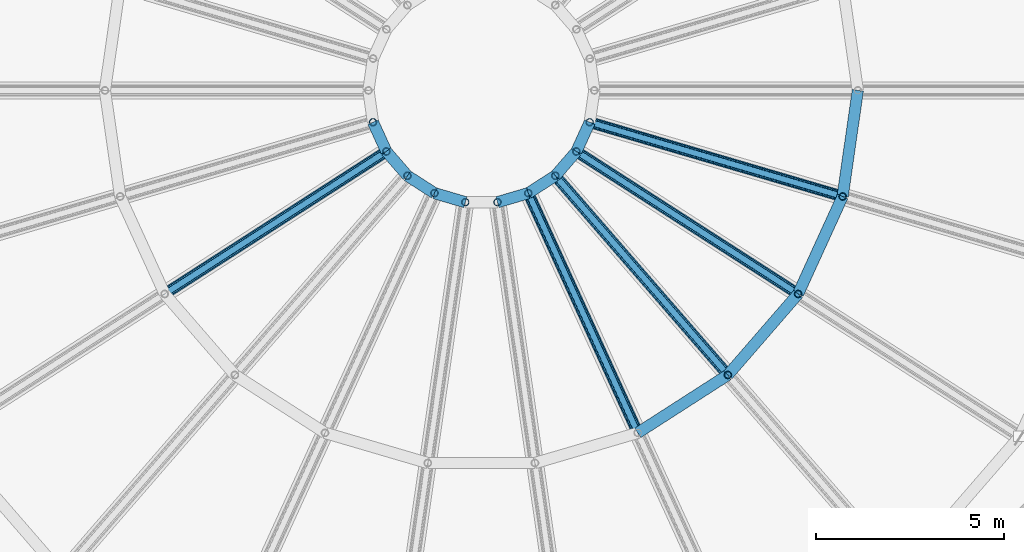
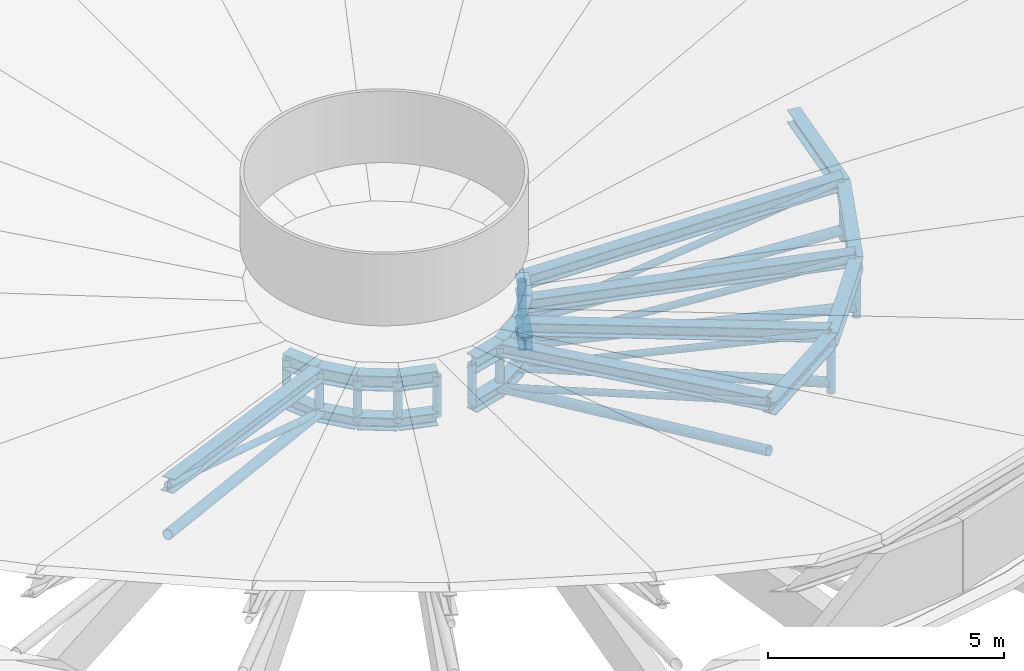
# One storey, part 4 of 69: 28 members, 20 beams.
"""IFC4 building model written with IfcOpenShell, lengths in metres."""

from ifc_helpers import new_model, si_unit, direction, frame, origin, origin_2d, place, context, subcontext, project, spatial, hollow_circle, i_section, extrude, material, material_profile, profile_set, type_object, element, save


model = new_model("IFC4")

# Units and contexts
model_context = context("Model", 3, precision=1e-05, world=origin(), true_north=direction((0.0, 1.0)))
body_context = subcontext(model_context, "Body", "Model", "MODEL_VIEW")
ifc_project = project(units=[si_unit("LENGTHUNIT", "METRE"), si_unit("AREAUNIT", "SQUARE_METRE"), si_unit("VOLUMEUNIT", "CUBIC_METRE"), si_unit("PLANEANGLEUNIT", "RADIAN"), si_unit("MASSUNIT", "GRAM", prefix="KILO")], contexts=[model_context])

# Site, building, storey
site_placement = place(None, origin())
site = spatial("IfcSite", under=ifc_project, at=site_placement, CompositionType="ELEMENT")
building_placement = place(site_placement, origin())
building = spatial("IfcBuilding", under=site, at=building_placement, Name="Pelvatis Terrace Science Centre", CompositionType="ELEMENT")
storey_placement = place(building_placement, frame((0.0, 0.0, 15.0)))
storey = spatial("IfcBuildingStorey", under=building, at=storey_placement, Name="L03", CompositionType="ELEMENT", Elevation=15.0)

# Beams
ifc_material_1 = material(Name="Structural steel S355", Category="steel")
ifc_material_profile_1 = material_profile(ifc_material_1, i_section(OverallWidth=0.300048828125, OverallDepth=0.330078125, WebThickness=0.009521484375, FlangeThickness=0.0166015625, FilletRadius=0.027099609375, at=origin_2d()), Name="HEA 340")
ifc_profile_set_1 = profile_set([ifc_material_profile_1], Name="Structural steel S355")
beam_type_1 = type_object("IfcBeamType", Name="BM-STL-HEA340", PredefinedType="BEAM", material=ifc_profile_set_1)
beam_1_placement = place(storey_placement, frame((75.12158203125, 53.7548828125, -2.5), z_axis=(0.415374633036, -0.909650435184, 0.0), x_axis=(0.909650435184, 0.415374633036, 0.0)))
element("IfcBeam", 1, at=beam_1_placement, inside=storey, type_object=beam_type_1, Name="Bowl roof circumferential bot member 13", PredefinedType="BEAM", context=body_context, shape_type="SweptSolid", body=[
    extrude(i_section(OverallWidth=0.300048828125, OverallDepth=0.330078125, WebThickness=0.009521484375, FlangeThickness=0.0166015625, FilletRadius=0.027099609375, at=origin_2d()), origin(), (0.0, 0.0, 1.0), 0.85400390625),
])
beam_2_placement = place(storey_placement, frame((75.476318359375, 52.97802734375, -2.5), z_axis=(0.654832554066, -0.755773991439, 0.0), x_axis=(0.755773991439, 0.654832554066, 0.0)))
element("IfcBeam", 2, at=beam_2_placement, inside=storey, type_object=beam_type_1, Name="Bowl roof circumferential bot member 14", PredefinedType="BEAM", context=body_context, shape_type="SweptSolid", body=[
    extrude(i_section(OverallWidth=0.300048828125, OverallDepth=0.330078125, WebThickness=0.009521484375, FlangeThickness=0.0166015625, FilletRadius=0.027099609375, at=origin_2d()), origin(), (0.0, 0.0, 1.0), 0.853759765625),
])
beam_3_placement = place(storey_placement, frame((76.035400390625, 52.332763671875, -2.5), z_axis=(0.841299198615, -0.54056975351, 0.0), x_axis=(0.54056975351, 0.841299198615, 0.0)))
element("IfcBeam", 3, at=beam_3_placement, inside=storey, type_object=beam_type_1, Name="Bowl roof circumferential bot member 15", PredefinedType="BEAM", context=body_context, shape_type="SweptSolid", body=[
    extrude(i_section(OverallWidth=0.300048828125, OverallDepth=0.330078125, WebThickness=0.009521484375, FlangeThickness=0.0166015625, FilletRadius=0.027099609375, at=origin_2d()), origin(), (0.0, 0.0, 1.0), 0.85400390625),
])
for number, where, z_axis, x_axis, name in (
    (4, (76.75390625, 51.87109375, -2.5), (0.959502009336, -0.281701782175, 0.0), (0.281701782175, 0.959502009336, 0.0), "Bowl roof circumferential bot member 16"),
    (5, (78.427001953125, 51.630615234375, -2.5), (0.959502009336, 0.281701782175, 0.0), (-0.281701782175, 0.959502009336, 0.0), "Bowl roof circumferential bot member 18"),
):
    element("IfcBeam", number, at=place(storey_placement, frame(where, z_axis=z_axis, x_axis=x_axis)), inside=storey, type_object=beam_type_1, Name=name, PredefinedType="BEAM", context=body_context, shape_type="SweptSolid", body=[
        extrude(i_section(OverallWidth=0.300048828125, OverallDepth=0.330078125, WebThickness=0.009521484375, FlangeThickness=0.0166015625, FilletRadius=0.027099609375, at=origin_2d()), origin(), (0.0, 0.0, 1.0), 0.853759765625),
    ])
beam_4_placement = place(storey_placement, frame((82.154296875, 45.503662109375, -0.179931640625), z_axis=(0.841236998523, 0.540666544477, 0.0), x_axis=(-0.540666544477, 0.841236998523, 0.0)))
element("IfcBeam", 6, at=beam_4_placement, inside=storey, type_object=beam_type_1, Name="Bowl roof circumferential mid member 19", PredefinedType="BEAM", context=body_context, shape_type="SweptSolid", body=[
    extrude(i_section(OverallWidth=0.300048828125, OverallDepth=0.330078125, WebThickness=0.009521484375, FlangeThickness=0.0166015625, FilletRadius=0.027099609375, at=origin_2d()), origin(), (0.0, 0.0, 1.0), 2.84619140625),
])
beam_5_placement = place(storey_placement, frame((79.24609375, 51.87109375, -2.5), z_axis=(0.841299198615, 0.54056975351, 0.0), x_axis=(-0.54056975351, 0.841299198615, 0.0)))
element("IfcBeam", 7, at=beam_5_placement, inside=storey, type_object=beam_type_1, Name="Bowl roof circumferential bot member 19", PredefinedType="BEAM", context=body_context, shape_type="SweptSolid", body=[
    extrude(i_section(OverallWidth=0.300048828125, OverallDepth=0.330078125, WebThickness=0.009521484375, FlangeThickness=0.0166015625, FilletRadius=0.027099609375, at=origin_2d()), origin(), (0.0, 0.0, 1.0), 0.85400390625),
])
beam_6_placement = place(storey_placement, frame((84.548583984375, 47.04248046875, -0.179931640625), z_axis=(0.654871758442, 0.755740021432, 0.0), x_axis=(-0.755740021432, 0.654871758442, 0.0)))
element("IfcBeam", 8, at=beam_6_placement, inside=storey, type_object=beam_type_1, Name="Bowl roof circumferential mid member 20", PredefinedType="BEAM", context=body_context, shape_type="SweptSolid", body=[
    extrude(i_section(OverallWidth=0.300048828125, OverallDepth=0.330078125, WebThickness=0.009521484375, FlangeThickness=0.0166015625, FilletRadius=0.027099609375, at=origin_2d()), origin(), (0.0, 0.0, 1.0), 2.846435546875),
])
beam_7_placement = place(storey_placement, frame((79.964599609375, 52.332763671875, -2.5), z_axis=(0.654832554066, 0.755773991439, 0.0), x_axis=(-0.755773991439, 0.654832554066, 0.0)))
element("IfcBeam", 9, at=beam_7_placement, inside=storey, type_object=beam_type_1, Name="Bowl roof circumferential bot member 20", PredefinedType="BEAM", context=body_context, shape_type="SweptSolid", body=[
    extrude(i_section(OverallWidth=0.300048828125, OverallDepth=0.330078125, WebThickness=0.009521484375, FlangeThickness=0.0166015625, FilletRadius=0.027099609375, at=origin_2d()), origin(), (0.0, 0.0, 1.0), 0.853759765625),
])
beam_8_placement = place(storey_placement, frame((86.41259765625, 49.193603515625, -0.179931640625), z_axis=(0.415404990183, 0.909636572556, 0.0), x_axis=(-0.909636572556, 0.415404990183, 0.0)))
element("IfcBeam", 10, at=beam_8_placement, inside=storey, type_object=beam_type_1, Name="Bowl roof circumferential mid member 21", PredefinedType="BEAM", context=body_context, shape_type="SweptSolid", body=[
    extrude(i_section(OverallWidth=0.300048828125, OverallDepth=0.330078125, WebThickness=0.009521484375, FlangeThickness=0.0166015625, FilletRadius=0.027099609375, at=origin_2d()), origin(), (0.0, 0.0, 1.0), 2.846435546875),
])
beam_9_placement = place(storey_placement, frame((80.523681640625, 52.97802734375, -2.5), z_axis=(0.415374633036, 0.909650435184, 0.0), x_axis=(-0.909650435184, 0.415374633036, 0.0)))
element("IfcBeam", 11, at=beam_9_placement, inside=storey, type_object=beam_type_1, Name="Bowl roof circumferential bot member 21", PredefinedType="BEAM", context=body_context, shape_type="SweptSolid", body=[
    extrude(i_section(OverallWidth=0.300048828125, OverallDepth=0.330078125, WebThickness=0.009521484375, FlangeThickness=0.0166015625, FilletRadius=0.027099609375, at=origin_2d()), origin(), (0.0, 0.0, 1.0), 0.85400390625),
])
beam_10_placement = place(storey_placement, frame((87.594970703125, 51.78271484375, -0.179931640625), z_axis=(0.142297903913, 0.989823876526, 0.0), x_axis=(-0.989823876526, 0.142297903913, 0.0)))
element("IfcBeam", 12, at=beam_10_placement, inside=storey, type_object=beam_type_1, Name="Bowl roof circumferential mid member 22", PredefinedType="BEAM", context=body_context, shape_type="SweptSolid", body=[
    extrude(i_section(OverallWidth=0.300048828125, OverallDepth=0.330078125, WebThickness=0.009521484375, FlangeThickness=0.0166015625, FilletRadius=0.027099609375, at=origin_2d()), origin(), (0.0, 0.0, 1.0), 2.846435546875),
])
ifc_material_2 = material(Name="Structural steel S355", Category="steel")
ifc_material_profile_2 = material_profile(ifc_material_2, i_section(OverallWidth=0.300048828125, OverallDepth=0.389892578125, WebThickness=0.010986328125, FlangeThickness=0.01904296875, FilletRadius=0.027099609375, at=origin_2d()), Name="HEA 400")
ifc_profile_set_2 = profile_set([ifc_material_profile_2], Name="Structural steel S355")
beam_type_2 = type_object("IfcBeamType", Name="BM-STL-HEA400", PredefinedType="BEAM", material=ifc_profile_set_2)
beam_11_placement = place(storey_placement, frame((75.12158203125, 53.7548828125, -1.449951171875), z_axis=(0.415374633036, -0.909650435184, 0.0), x_axis=(0.909650435184, 0.415374633036, 0.0)))
element("IfcBeam", 13, at=beam_11_placement, inside=storey, type_object=beam_type_2, Name="Bowl roof circumferential top member 13", PredefinedType="BEAM", context=body_context, shape_type="SweptSolid", body=[
    extrude(i_section(OverallWidth=0.300048828125, OverallDepth=0.389892578125, WebThickness=0.010986328125, FlangeThickness=0.01904296875, FilletRadius=0.027099609375, at=origin_2d()), origin(), (0.0, 0.0, 1.0), 0.85400390625),
])
beam_12_placement = place(storey_placement, frame((75.476318359375, 52.97802734375, -1.449951171875), z_axis=(0.654832554066, -0.755773991439, 0.0), x_axis=(0.755773991439, 0.654832554066, 0.0)))
element("IfcBeam", 14, at=beam_12_placement, inside=storey, type_object=beam_type_2, Name="Bowl roof circumferential top member 14", PredefinedType="BEAM", context=body_context, shape_type="SweptSolid", body=[
    extrude(i_section(OverallWidth=0.300048828125, OverallDepth=0.389892578125, WebThickness=0.010986328125, FlangeThickness=0.01904296875, FilletRadius=0.027099609375, at=origin_2d()), origin(), (0.0, 0.0, 1.0), 0.853759765625),
])
beam_13_placement = place(storey_placement, frame((76.035400390625, 52.332763671875, -1.449951171875), z_axis=(0.841299198615, -0.54056975351, 0.0), x_axis=(0.54056975351, 0.841299198615, 0.0)))
element("IfcBeam", 15, at=beam_13_placement, inside=storey, type_object=beam_type_2, Name="Bowl roof circumferential top member 15", PredefinedType="BEAM", context=body_context, shape_type="SweptSolid", body=[
    extrude(i_section(OverallWidth=0.300048828125, OverallDepth=0.389892578125, WebThickness=0.010986328125, FlangeThickness=0.01904296875, FilletRadius=0.027099609375, at=origin_2d()), origin(), (0.0, 0.0, 1.0), 0.85400390625),
])
for number, where, z_axis, x_axis, name in (
    (16, (76.75390625, 51.87109375, -1.449951171875), (0.959502009336, -0.281701782175, 0.0), (0.281701782175, 0.959502009336, 0.0), "Bowl roof circumferential top member 16"),
    (17, (78.427001953125, 51.630615234375, -1.449951171875), (0.959502009336, 0.281701782175, 0.0), (-0.281701782175, 0.959502009336, 0.0), "Bowl roof circumferential top member 18"),
):
    element("IfcBeam", number, at=place(storey_placement, frame(where, z_axis=z_axis, x_axis=x_axis)), inside=storey, type_object=beam_type_2, Name=name, PredefinedType="BEAM", context=body_context, shape_type="SweptSolid", body=[
        extrude(i_section(OverallWidth=0.300048828125, OverallDepth=0.389892578125, WebThickness=0.010986328125, FlangeThickness=0.01904296875, FilletRadius=0.027099609375, at=origin_2d()), origin(), (0.0, 0.0, 1.0), 0.853759765625),
    ])
beam_14_placement = place(storey_placement, frame((79.24609375, 51.87109375, -1.449951171875), z_axis=(0.841299198615, 0.54056975351, 0.0), x_axis=(-0.54056975351, 0.841299198615, 0.0)))
element("IfcBeam", 18, at=beam_14_placement, inside=storey, type_object=beam_type_2, Name="Bowl roof circumferential top member 19", PredefinedType="BEAM", context=body_context, shape_type="SweptSolid", body=[
    extrude(i_section(OverallWidth=0.300048828125, OverallDepth=0.389892578125, WebThickness=0.010986328125, FlangeThickness=0.01904296875, FilletRadius=0.027099609375, at=origin_2d()), origin(), (0.0, 0.0, 1.0), 0.85400390625),
])
beam_15_placement = place(storey_placement, frame((79.964599609375, 52.332763671875, -1.449951171875), z_axis=(0.654832554066, 0.755773991439, 0.0), x_axis=(-0.755773991439, 0.654832554066, 0.0)))
element("IfcBeam", 19, at=beam_15_placement, inside=storey, type_object=beam_type_2, Name="Bowl roof circumferential top member 20", PredefinedType="BEAM", context=body_context, shape_type="SweptSolid", body=[
    extrude(i_section(OverallWidth=0.300048828125, OverallDepth=0.389892578125, WebThickness=0.010986328125, FlangeThickness=0.01904296875, FilletRadius=0.027099609375, at=origin_2d()), origin(), (0.0, 0.0, 1.0), 0.853759765625),
])
beam_16_placement = place(storey_placement, frame((80.523681640625, 52.97802734375, -1.449951171875), z_axis=(0.415374633036, 0.909650435184, 0.0), x_axis=(-0.909650435184, 0.415374633036, 0.0)))
element("IfcBeam", 20, at=beam_16_placement, inside=storey, type_object=beam_type_2, Name="Bowl roof circumferential top member 21", PredefinedType="BEAM", context=body_context, shape_type="SweptSolid", body=[
    extrude(i_section(OverallWidth=0.300048828125, OverallDepth=0.389892578125, WebThickness=0.010986328125, FlangeThickness=0.01904296875, FilletRadius=0.027099609375, at=origin_2d()), origin(), (0.0, 0.0, 1.0), 0.85400390625),
])

# Members
ifc_material_3 = material(Name="Structural steel S355", Category="steel")
ifc_material_profile_3 = material_profile(ifc_material_3, hollow_circle(Radius=0.084228515625, WallThickness=0.00634765625, at=origin_2d()), Name="CHS 168.3x6.3")
ifc_profile_set_3 = profile_set([ifc_material_profile_3], Name="Structural steel S355")
member_type_1 = type_object("IfcMemberType", Name="MEM-BRC-CHS168", PredefinedType="BRACE", material=ifc_profile_set_3)
for number, where, z_axis, x_axis, name in (
    (21, (69.58740234375, 49.193603515625, -0.02001953125), (0.79296989833, 0.509590248912, -0.33394089081), (-0.540625380133, 0.841263453596, 0.0), "Bowl truss web brace 14.4"),
    (22, (82.154296875, 45.503662109375, -0.02001953125), (-0.391600804381, 0.857399309862, -0.333938966664), (-0.909616095646, -0.415449826745, 0.0), "Bowl truss web brace 19.4"),
):
    element("IfcMember", number, at=place(storey_placement, frame(where, z_axis=z_axis, x_axis=x_axis)), inside=storey, type_object=member_type_1, Name=name, PredefinedType="BRACE", context=body_context, shape_type="SweptSolid", body=[
        extrude(hollow_circle(Radius=0.084228515625, WallThickness=0.00634765625, at=origin_2d()), origin(), (0.0, 0.0, 1.0), 7.426513671875),
    ])
member_1_placement = place(storey_placement, frame((84.548583984375, 47.04248046875, -0.02001953125), z_axis=(-0.617261430253, 0.712368871546, -0.333944482771), x_axis=(-0.755754672976, -0.654854849776, 0.0)))
element("IfcMember", 23, at=member_1_placement, inside=storey, type_object=member_type_1, Name="Bowl truss web brace 20.4", PredefinedType="BRACE", context=body_context, shape_type="SweptSolid", body=[
    extrude(hollow_circle(Radius=0.084228515625, WallThickness=0.00634765625, at=origin_2d()), origin(), (0.0, 0.0, 1.0), 7.42626953125),
])
for number, where, z_axis, x_axis, name in (
    (24, (86.41259765625, 49.193603515625, -0.02001953125), (-0.79296989833, 0.509590248912, -0.33394089081), (-0.540625380133, -0.841263453596, 0.0), "Bowl truss web brace 21.4"),
    (25, (87.594970703125, 51.78271484375, -0.02001953125), (-0.904412308538, 0.265560780356, -0.333939886959), (-0.281733891035, -0.959492581859, 0.0), "Bowl truss web brace 22.4"),
):
    element("IfcMember", number, at=place(storey_placement, frame(where, z_axis=z_axis, x_axis=x_axis)), inside=storey, type_object=member_type_1, Name=name, PredefinedType="BRACE", context=body_context, shape_type="SweptSolid", body=[
        extrude(hollow_circle(Radius=0.084228515625, WallThickness=0.00634765625, at=origin_2d()), origin(), (0.0, 0.0, 1.0), 7.426513671875),
    ])
ifc_material_4 = material(Name="Structural steel S355", Category="steel")
ifc_material_profile_4 = material_profile(ifc_material_4, hollow_circle(Radius=0.122314453125, WallThickness=0.010009765625, at=origin_2d()), Name="CHS 244.5x10.0")
ifc_profile_set_4 = profile_set([ifc_material_profile_4], Name="Structural steel S355")
member_type_2 = type_object("IfcMemberType", Name="MEM-CHD-CHS244", PredefinedType="CHORD", material=ifc_profile_set_4)
for number, where, z_axis, x_axis, name in (
    (26, (69.58740234375, 49.193603515625, -1.300048828125), (0.829169233966, 0.532853210717, -0.168955133906), (-0.540625380133, 0.841263453596, 0.0), "Bowl truss inner bottom chord 14"),
    (27, (82.154296875, 45.503662109375, -1.300048828125), (-0.40947728906, 0.896539386836, -0.168954069487), (-0.909616095646, -0.415449826745, 0.0), "Bowl truss inner bottom chord 19"),
):
    element("IfcMember", number, at=place(storey_placement, frame(where, z_axis=z_axis, x_axis=x_axis)), inside=storey, type_object=member_type_2, Name=name, PredefinedType="CHORD", context=body_context, shape_type="SweptSolid", body=[
        extrude(hollow_circle(Radius=0.122314453125, WallThickness=0.010009765625, at=origin_2d()), origin(), (0.0, 0.0, 1.0), 7.102294921875),
    ])
member_2_placement = place(storey_placement, frame((84.548583984375, 47.04248046875, -1.300048828125), z_axis=(-0.645440265089, 0.744889492129, -0.168957120948), x_axis=(-0.755754672976, -0.654854849776, 0.0)))
element("IfcMember", 28, at=member_2_placement, inside=storey, type_object=member_type_2, Name="Bowl truss inner bottom chord 20", PredefinedType="CHORD", context=body_context, shape_type="SweptSolid", body=[
    extrude(hollow_circle(Radius=0.122314453125, WallThickness=0.010009765625, at=origin_2d()), origin(), (0.0, 0.0, 1.0), 7.10205078125),
])
for number, where, z_axis, x_axis, name in (
    (29, (86.41259765625, 49.193603515625, -1.300048828125), (-0.829169233966, 0.532853210717, -0.168955133906), (-0.540625380133, -0.841263453596, 0.0), "Bowl truss inner bottom chord 21"),
    (30, (87.594970703125, 51.78271484375, -1.300048828125), (-0.945698761231, 0.277683639025, -0.168954578585), (-0.281733891035, -0.959492581859, 0.0), "Bowl truss inner bottom chord 22"),
):
    element("IfcMember", number, at=place(storey_placement, frame(where, z_axis=z_axis, x_axis=x_axis)), inside=storey, type_object=member_type_2, Name=name, PredefinedType="CHORD", context=body_context, shape_type="SweptSolid", body=[
        extrude(hollow_circle(Radius=0.122314453125, WallThickness=0.010009765625, at=origin_2d()), origin(), (0.0, 0.0, 1.0), 7.102294921875),
    ])
ifc_material_5 = material(Name="Structural steel S355", Category="steel")
ifc_material_profile_5 = material_profile(ifc_material_5, i_section(OverallWidth=0.300048828125, OverallDepth=0.330078125, WebThickness=0.009521484375, FlangeThickness=0.0166015625, FilletRadius=0.027099609375, at=origin_2d()), Name="HEA 340")
ifc_profile_set_5 = profile_set([ifc_material_profile_5], Name="Structural steel S355")
member_type_3 = type_object("IfcMemberType", Name="MEM-CHD-HEA340", PredefinedType="CHORD", material=ifc_profile_set_5)
member_3_placement = place(storey_placement, frame((69.58740234375, 49.193603515625, -0.02001953125), z_axis=(0.824242355298, 0.529687025806, -0.200140436756), x_axis=(-0.540625380133, 0.841263453596, 0.0)))
element("IfcMember", 31, at=member_3_placement, inside=storey, type_object=member_type_3, Name="Bowl truss inner top chord 14", PredefinedType="CHORD", context=body_context, shape_type="SweptSolid", body=[
    extrude(i_section(OverallWidth=0.300048828125, OverallDepth=0.330078125, WebThickness=0.009521484375, FlangeThickness=0.0166015625, FilletRadius=0.027099609375, at=origin_2d()), origin(), (0.0, 0.0, 1.0), 7.14453125),
])
member_4_placement = place(storey_placement, frame((82.154296875, 45.503662109375, -0.02001953125), z_axis=(-0.407044227577, 0.891212264895, -0.200139190809), x_axis=(-0.909616095646, -0.415449826745, 0.0)))
element("IfcMember", 32, at=member_4_placement, inside=storey, type_object=member_type_3, Name="Bowl truss inner top chord 19", PredefinedType="CHORD", context=body_context, shape_type="SweptSolid", body=[
    extrude(i_section(OverallWidth=0.300048828125, OverallDepth=0.330078125, WebThickness=0.009521484375, FlangeThickness=0.0166015625, FilletRadius=0.027099609375, at=origin_2d()), origin(), (0.0, 0.0, 1.0), 7.144775390625),
])
for number, where, z_axis, x_axis, name in (
    (33, (84.548583984375, 47.04248046875, -0.02001953125), (-0.641605004593, 0.740463295938, -0.200142762671), (-0.755754672976, -0.654854849776, 0.0), "Bowl truss inner top chord 20"),
    (34, (86.41259765625, 49.193603515625, -0.02001953125), (-0.824242355298, 0.529687025806, -0.200140436756), (-0.540625380133, -0.841263453596, 0.0), "Bowl truss inner top chord 21"),
):
    element("IfcMember", number, at=place(storey_placement, frame(where, z_axis=z_axis, x_axis=x_axis)), inside=storey, type_object=member_type_3, Name=name, PredefinedType="CHORD", context=body_context, shape_type="SweptSolid", body=[
        extrude(i_section(OverallWidth=0.300048828125, OverallDepth=0.330078125, WebThickness=0.009521484375, FlangeThickness=0.0166015625, FilletRadius=0.027099609375, at=origin_2d()), origin(), (0.0, 0.0, 1.0), 7.14453125),
    ])
member_5_placement = place(storey_placement, frame((87.594970703125, 51.78271484375, -0.02001953125), z_axis=(-0.940079507035, 0.276033668635, -0.200139786729), x_axis=(-0.281733891035, -0.959492581859, 0.0)))
element("IfcMember", 35, at=member_5_placement, inside=storey, type_object=member_type_3, Name="Bowl truss inner top chord 22", PredefinedType="CHORD", context=body_context, shape_type="SweptSolid", body=[
    extrude(i_section(OverallWidth=0.300048828125, OverallDepth=0.330078125, WebThickness=0.009521484375, FlangeThickness=0.0166015625, FilletRadius=0.027099609375, at=origin_2d()), origin(), (0.0, 0.0, 1.0), 7.144775390625),
])
ifc_material_6 = material(Name="Structural steel S355", Category="steel")
ifc_material_profile_6 = material_profile(ifc_material_6, hollow_circle(Radius=0.096923828125, WallThickness=0.008056640625, at=origin_2d()), Name="CHS 193.7x8.0")
ifc_profile_set_6 = profile_set([ifc_material_profile_6], Name="Structural steel S355")
member_type_4 = type_object("IfcMemberType", Name="MEM-STR-CHS194", PredefinedType="STRUT", material=ifc_profile_set_6)
for number, where, z_axis, x_axis, name in (
    (36, (75.12158203125, 53.7548828125, -2.5), (0.0, 0.0, 1.0), (1.0, 0.0, 0.0), "Bowl truss web strut 13.2"),
    (37, (75.476318359375, 52.97802734375, -2.5), (0.0, 0.0, 1.0), (1.0, 0.0, 0.0), "Bowl truss web strut 14.2"),
    (38, (76.035400390625, 52.332763671875, -2.5), (0.0, 0.0, 1.0), (1.0, 0.0, 0.0), "Bowl truss web strut 15.2"),
    (39, (76.75390625, 51.87109375, -2.5), (0.0, 0.0, 1.0), (1.0, 0.0, 0.0), "Bowl truss web strut 16.2"),
    (40, (77.572998046875, 51.630615234375, -2.5), (0.0, 0.0, 1.0), (1.0, 0.0, 0.0), "Bowl truss web strut 17.2"),
    (41, (78.427001953125, 51.630615234375, -2.5), (0.0, 0.0, 1.0), (1.0, 0.0, 0.0), "Bowl truss web strut 18.2"),
    (42, (79.24609375, 51.87109375, -2.5), (0.0, 0.0, 1.0), (1.0, 0.0, 0.0), "Bowl truss web strut 19.2"),
    (43, (79.964599609375, 52.332763671875, -2.5), (0.0, 0.0, 1.0), (1.0, 0.0, 0.0), "Bowl truss web strut 20.2"),
    (44, (80.523681640625, 52.97802734375, -2.5), (0.0, 0.0, 1.0), (1.0, 0.0, 0.0), "Bowl truss web strut 21.2"),
    (45, (80.87841796875, 53.7548828125, -2.5), (0.0, 0.0, 1.0), (1.0, 0.0, 0.0), "Bowl truss web strut 22.2"),
):
    element("IfcMember", number, at=place(storey_placement, frame(where, z_axis=z_axis, x_axis=x_axis)), inside=storey, type_object=member_type_4, Name=name, PredefinedType="STRUT", context=body_context, shape_type="SweptSolid", body=[
        extrude(hollow_circle(Radius=0.096923828125, WallThickness=0.008056640625, at=origin_2d()), origin(), (0.0, 0.0, 1.0), 1.050048828125),
    ])
for number, where, z_axis, x_axis, name in (
    (46, (84.548583984375, 47.04248046875, -1.550048828125), (0.0, 0.0, 1.0), (1.0, 0.0, 0.0), "Bowl truss mid vertical post 20"),
    (47, (86.41259765625, 49.193603515625, -1.550048828125), (0.0, 0.0, 1.0), (1.0, 0.0, 0.0), "Bowl truss mid vertical post 21"),
    (48, (87.594970703125, 51.78271484375, -1.550048828125), (0.0, 0.0, 1.0), (1.0, 0.0, 0.0), "Bowl truss mid vertical post 22"),
):
    element("IfcMember", number, at=place(storey_placement, frame(where, z_axis=z_axis, x_axis=x_axis)), inside=storey, type_object=member_type_4, Name=name, PredefinedType="STRUT", context=body_context, shape_type="SweptSolid", body=[
        extrude(hollow_circle(Radius=0.096923828125, WallThickness=0.008056640625, at=origin_2d()), origin(), (0.0, 0.0, 1.0), 1.530029296875),
    ])

save(model, "model.ifc")
